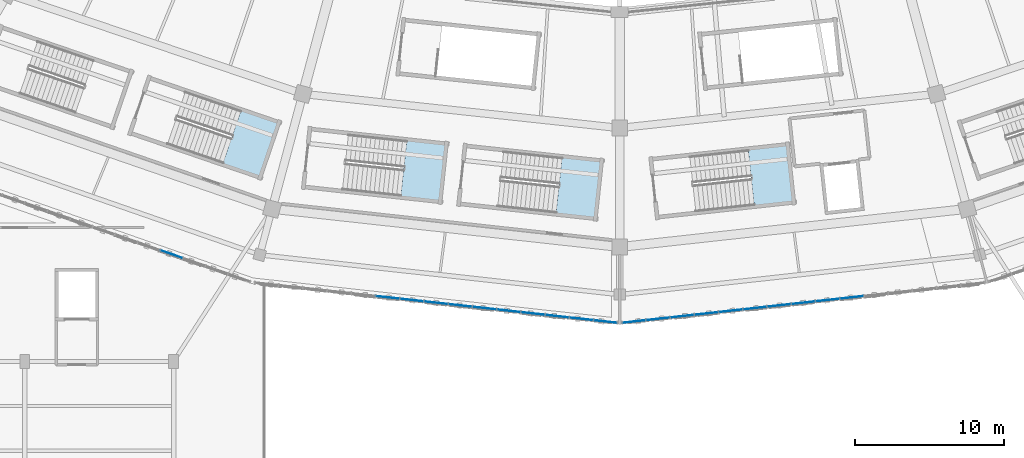
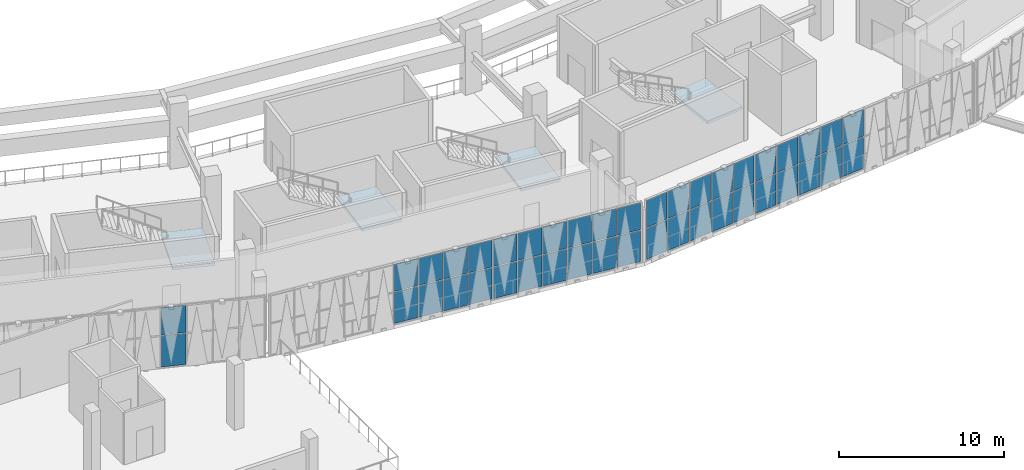
# One storey, part 78 of 179: 42 plates, 4 slabs, 7 elements without a shape of their own.
"""IFC4 building model written with IfcOpenShell, lengths in metres."""

import ifcopenshell
import ifcopenshell.guid

model = None  # the IFC model being written
_history = None  # IfcOwnerHistory: only IFC2X3 demands one
_inside = {}  # id of a spatial element -> (the spatial element, [elements in it])
_under = {}  # id of a project, library or spatial element -> (it, [spatial elements below it])
_declared = {}  # id of a project -> (the project, [libraries it declares])
_typed = {}  # id of a type object -> (the type object, [elements of that type])
_made_of = {}  # id of a material, layer set ... -> (it, [elements and type objects made of it])


def new_model(schema):
    """Start an empty IFC model of exactly this schema.

    Asked for "IFC4X3", IfcOpenShell would pick the latest addendum, in which some entities
    have other attributes; the version numbers below select the first issue.
    IFC2X3 requires an IfcOwnerHistory on every rooted entity: one is made here for all.
    """
    global model, _history
    if schema == "IFC4X3":
        model = ifcopenshell.file(schema_version=(4, 3, 0, 0))
    else:
        model = ifcopenshell.file(schema=schema)
    _inside.clear()
    _under.clear()
    _declared.clear()
    _typed.clear()
    _made_of.clear()
    _history = None
    if model.schema == "IFC2X3":
        org = make("IfcOrganization", Name="unknown")
        user = make(
            "IfcPersonAndOrganization",
            ThePerson=make("IfcPerson", FamilyName="unknown"),
            TheOrganization=org,
        )
        app = make(
            "IfcApplication",
            ApplicationDeveloper=org,
            Version="unknown",
            ApplicationFullName="unknown",
            ApplicationIdentifier="unknown",
        )
        _history = make(
            "IfcOwnerHistory",
            OwningUser=user,
            OwningApplication=app,
            ChangeAction="ADDED",
            CreationDate=0,
        )
    return model


def make(cls, **values):
    """One entity of the class cls with the attributes given. An attribute that is None is left unset."""
    return model.create_entity(
        cls, **{name: value for name, value in values.items() if value is not None}
    )


def rooted(cls, **values):
    """An entity with a GlobalId (a new one), such as an element, a storey or a relation."""
    return make(cls, GlobalId=ifcopenshell.guid.new(), OwnerHistory=_history, **values)


def si_unit(unit_type, name, prefix=None):
    """IfcSIUnit, for example si_unit("LENGTHUNIT", "METRE", prefix="MILLI")."""
    return make("IfcSIUnit", UnitType=unit_type, Prefix=prefix, Name=name)


def assignment(units):
    """IfcUnitAssignment: the units of a project."""
    return None if units is None else make("IfcUnitAssignment", Units=units)


def point(xyz):
    """IfcCartesianPoint."""
    return None if xyz is None else make("IfcCartesianPoint", Coordinates=xyz)


def direction(xyz):
    """IfcDirection."""
    return None if xyz is None else make("IfcDirection", DirectionRatios=xyz)


def frame(location, z_axis=None, x_axis=None):
    """IfcAxis2Placement3D, a coordinate frame: its origin and axes. An axis left out is left unset."""
    return make(
        "IfcAxis2Placement3D",
        Location=point(location),
        Axis=direction(z_axis),
        RefDirection=direction(x_axis),
    )


def frame_2d(location, x_axis=None):
    """IfcAxis2Placement2D, a coordinate frame in the plane: its origin and x axis."""
    return make(
        "IfcAxis2Placement2D", Location=point(location), RefDirection=direction(x_axis)
    )


def origin():
    """The frame at (0, 0, 0) with its axes left unset."""
    return frame((0.0, 0.0, 0.0))


def origin_2d():
    """The frame at (0, 0) in the plane with its x axis left unset."""
    return frame_2d((0.0, 0.0))


def place(relative_to, where):
    """IfcLocalPlacement: puts the frame where relative to a parent placement (None: the world)."""
    return make(
        "IfcLocalPlacement", PlacementRelTo=relative_to, RelativePlacement=where
    )


def context(
    kind, dimensions, precision=None, world=None, true_north=None, identifier=None
):
    """IfcGeometricRepresentationContext, for example the 3D "Model" context."""
    return make(
        "IfcGeometricRepresentationContext",
        ContextIdentifier=identifier,
        ContextType=kind,
        CoordinateSpaceDimension=dimensions,
        Precision=precision,
        WorldCoordinateSystem=world,
        TrueNorth=true_north,
    )


def subcontext(parent, identifier, kind, view, scale=None):
    """IfcGeometricRepresentationSubContext, for example "Body" below "Model"."""
    return make(
        "IfcGeometricRepresentationSubContext",
        ContextIdentifier=identifier,
        ContextType=kind,
        ParentContext=parent,
        TargetScale=scale,
        TargetView=view,
    )


def project(units=None, contexts=None):
    """IfcProject with its units and contexts."""
    return rooted(
        "IfcProject",
        Name="project",
        RepresentationContexts=contexts,
        UnitsInContext=assignment(units),
    )


def spatial(cls, under=None, at=None, **own):
    """A site, building, storey or space (cls), placed at a placement, below another one or the project."""
    s = rooted(cls, ObjectPlacement=at, **own)
    if under is not None:
        _under.setdefault(under.id(), (under, []))[1].append(s)
    return s


def polyline(points):
    """IfcPolyline through the points."""
    return make("IfcPolyline", Points=[point(p) for p in points])


def profile(cls, at=None, kind="AREA", **sizes):
    """A parametric profile (cls). Its sizes go by their IFC names, for example OverallWidth=200.0."""
    return make(cls, ProfileType=kind, Position=at, **sizes)


def rectangle(**sizes):
    """IfcRectangleProfileDef."""
    return profile("IfcRectangleProfileDef", **sizes)


def outline(outer, holes=None, kind="AREA"):
    """IfcArbitraryClosedProfileDef: a profile drawn as a closed curve; with holes, ...WithVoids."""
    if holes is None:
        return make("IfcArbitraryClosedProfileDef", ProfileType=kind, OuterCurve=outer)
    return make(
        "IfcArbitraryProfileDefWithVoids",
        ProfileType=kind,
        OuterCurve=outer,
        InnerCurves=holes,
    )


def extrude(swept, where, along, depth):
    """IfcExtrudedAreaSolid: the profile swept, set in the frame where, extruded along a direction by depth."""
    return make(
        "IfcExtrudedAreaSolid",
        SweptArea=swept,
        Position=where,
        ExtrudedDirection=direction(along),
        Depth=depth,
    )


def shape(context_of_items, identifier, shape_type, items):
    """IfcShapeRepresentation: the items that make up one representation, for example the "Body"."""
    return make(
        "IfcShapeRepresentation",
        ContextOfItems=context_of_items,
        RepresentationIdentifier=identifier,
        RepresentationType=shape_type,
        Items=items,
    )


def material(Name=None, Category=None):
    """IfcMaterial."""
    return make("IfcMaterial", Name=Name, Category=Category)


def layer(
    of_material, thickness, ventilated=None, Name=None, Category=None, Priority=None
):
    """IfcMaterialLayer: one layer of a wall or slab, of a material (None: an air gap)."""
    return make(
        "IfcMaterialLayer",
        Material=of_material,
        LayerThickness=thickness,
        IsVentilated=ventilated,
        Name=Name,
        Category=Category,
        Priority=Priority,
    )


def layer_set(layers, Name=None):
    """IfcMaterialLayerSet."""
    return make("IfcMaterialLayerSet", MaterialLayers=layers, LayerSetName=Name)


def made_of(thing, what):
    """Note that an element or type object is made of a material, layer set ...; save() writes the relation."""
    if what is not None:
        _made_of.setdefault(what.id(), (what, []))[1].append(thing)
    return thing


def type_object(cls, material=None, **own):
    """A type object (cls), such as IfcWallType, which elements share."""
    return made_of(rooted(cls, **own), material)


def element(
    cls,
    number,
    at=None,
    inside=None,
    cuts=None,
    type_object=None,
    material=None,
    context=None,
    identifier="Body",
    shape_type=None,
    held_by="IfcProductDefinitionShape",
    body=None,
    shapes=None,
    **own,
):
    """One element of the class cls, such as IfcWall. Its Tag is "e" and its number.

    at: its placement. inside: the storey or other place that contains it. cuts: it is an
    opening in that element (IfcRelVoidsElement). A single representation is given by context,
    identifier, shape_type and body (its items); several are given by shapes. held_by: the class
    of the entity that holds the representations. save() writes the other relations.
    """
    e = rooted(cls, Tag="e%d" % number, ObjectPlacement=at, **own)
    if body is not None:
        shapes = [shape(context, identifier, shape_type, body)]
    if shapes is not None:
        e.Representation = make(held_by, Representations=shapes)
    if inside is not None:
        _inside.setdefault(inside.id(), (inside, []))[1].append(e)
    if cuts is not None:
        rooted(
            "IfcRelVoidsElement", RelatingBuildingElement=cuts, RelatedOpeningElement=e
        )
    if type_object is not None:
        _typed.setdefault(type_object.id(), (type_object, []))[1].append(e)
    return made_of(e, material)


def aggregate(whole, parts):
    """IfcRelAggregates: a whole, such as a stair, and the parts it consists of."""
    return rooted("IfcRelAggregates", RelatingObject=whole, RelatedObjects=parts)


def save(model, path):
    """Write the relations noted so far, then the file.

    IfcRelAggregates (storeys below a building ...), IfcRelContainedInSpatialStructure (elements
    in a storey), IfcRelDefinesByType, IfcRelAssociatesMaterial and IfcRelDeclares: one each for
    every whole, place, type object, material and project.
    """
    for whole, parts in _under.values():
        aggregate(whole, parts)
    for where, things in _inside.values():
        rooted(
            "IfcRelContainedInSpatialStructure",
            RelatedElements=things,
            RelatingStructure=where,
        )
    for kind, things in _typed.values():
        rooted("IfcRelDefinesByType", RelatedObjects=things, RelatingType=kind)
    for what, things in _made_of.values():
        rooted("IfcRelAssociatesMaterial", RelatedObjects=things, RelatingMaterial=what)
    for by, libraries in _declared.values():
        rooted("IfcRelDeclares", RelatingContext=by, RelatedDefinitions=libraries)
    model.write(path)


model = new_model("IFC4")

# Units and contexts
model_context = context("Model", 3, precision=1e-05, world=origin(), true_north=direction((0.0, 1.0)))
body_context = subcontext(model_context, "Body", "Model", "MODEL_VIEW")
ifc_project = project(units=[si_unit("LENGTHUNIT", "METRE"), si_unit("AREAUNIT", "SQUARE_METRE"), si_unit("VOLUMEUNIT", "CUBIC_METRE"), si_unit("PLANEANGLEUNIT", "RADIAN"), si_unit("MASSUNIT", "GRAM", prefix="KILO")], contexts=[model_context])

# Site, building, storey
site_placement = place(None, origin())
site = spatial("IfcSite", under=ifc_project, at=site_placement, CompositionType="ELEMENT")
building_placement = place(site_placement, origin())
building = spatial("IfcBuilding", under=site, at=building_placement, Name="Zevraka Park Crest Stadium", CompositionType="ELEMENT")
storey_placement = place(building_placement, frame((0.0, 0.0, 10.199951171875)))
storey = spatial("IfcBuildingStorey", under=building, at=storey_placement, Name="L02", CompositionType="ELEMENT", Elevation=10.199951171875)

# Curtain wall, plates
ifc_material_1 = material(Name="Anodised architectural aluminium and laminated safety glass", Category="aluminium")
curtain_wall_type_1 = type_object("IfcCurtainWallType", Name="CW06", PredefinedType="NOTDEFINED", material=ifc_material_1)
curtain_wall_1_placement = place(storey_placement, origin())
curtain_wall_1 = element("IfcCurtainWall", 1, at=curtain_wall_1_placement, inside=storey, type_object=curtain_wall_type_1, Name="Unitised Ring Curtain Wall CW06 L02-17", PredefinedType="NOTDEFINED")
ifc_material_2 = material(Name="Solar-control laminated double glazing", Category="glass")
ifc_layer_1 = layer(ifc_material_2, 0.028076171875)
ifc_layer_set_1 = layer_set([ifc_layer_1], Name="Solar-control laminated double glazing")
plate_type_1 = type_object("IfcPlateType", Name="CP06", PredefinedType="CURTAIN_PANEL", material=ifc_layer_set_1)
plate_1_placement = place(storey_placement, frame((96.391845703125, 13.3125, 0.070068359375), z_axis=(0.0, 0.0, 1.0), x_axis=(0.993899099743, -0.110293152687, 0.0)))
plate_1 = element("IfcPlate", 2, at=plate_1_placement, type_object=plate_type_1, Name="CW06 panel 6.1", PredefinedType="CURTAIN_PANEL", context=body_context, shape_type="SweptSolid", body=[
    extrude(rectangle(XDim=1.5693359375, YDim=0.028076171875, at=origin_2d()), origin(), (0.0, 0.0, 1.0), 2.294921875),
])
plate_2_placement = place(storey_placement, frame((96.391845703125, 13.3125, 2.43505859375), z_axis=(0.0, 0.0, 1.0), x_axis=(0.993899099743, -0.110293152687, 0.0)))
plate_2 = element("IfcPlate", 3, at=plate_2_placement, type_object=plate_type_1, Name="CW06 panel 6.2", PredefinedType="CURTAIN_PANEL", context=body_context, shape_type="SweptSolid", body=[
    extrude(rectangle(XDim=1.5693359375, YDim=0.028076171875, at=origin_2d()), origin(), (0.0, 0.0, 1.0), 1.9951171875),
])
plate_3_placement = place(storey_placement, frame((98.021240234375, 13.1318359375, 0.070068359375), z_axis=(0.0, 0.0, 1.0), x_axis=(0.993899099743, -0.110293152687, 0.0)))
plate_3 = element("IfcPlate", 4, at=plate_3_placement, type_object=plate_type_1, Name="CW06 panel 7.1", PredefinedType="CURTAIN_PANEL", context=body_context, shape_type="SweptSolid", body=[
    extrude(rectangle(XDim=1.5693359375, YDim=0.028076171875, at=origin_2d()), origin(), (0.0, 0.0, 1.0), 2.294921875),
])
plate_4_placement = place(storey_placement, frame((98.021240234375, 13.1318359375, 2.43505859375), z_axis=(0.0, 0.0, 1.0), x_axis=(0.993899099743, -0.110293152687, 0.0)))
plate_4 = element("IfcPlate", 5, at=plate_4_placement, type_object=plate_type_1, Name="CW06 panel 7.2", PredefinedType="CURTAIN_PANEL", context=body_context, shape_type="SweptSolid", body=[
    extrude(rectangle(XDim=1.5693359375, YDim=0.028076171875, at=origin_2d()), origin(), (0.0, 0.0, 1.0), 1.9951171875),
])
plate_5_placement = place(storey_placement, frame((99.650390625, 12.950927734375, 0.070068359375), z_axis=(0.0, 0.0, 1.0), x_axis=(0.993899099743, -0.110293152687, 0.0)))
plate_5 = element("IfcPlate", 6, at=plate_5_placement, type_object=plate_type_1, Name="CW06 panel 8.1", PredefinedType="CURTAIN_PANEL", context=body_context, shape_type="SweptSolid", body=[
    extrude(rectangle(XDim=1.5693359375, YDim=0.028076171875, at=origin_2d()), origin(), (0.0, 0.0, 1.0), 2.294921875),
])
plate_6_placement = place(storey_placement, frame((99.650390625, 12.950927734375, 2.43505859375), z_axis=(0.0, 0.0, 1.0), x_axis=(0.993899099743, -0.110293152687, 0.0)))
plate_6 = element("IfcPlate", 7, at=plate_6_placement, type_object=plate_type_1, Name="CW06 panel 8.2", PredefinedType="CURTAIN_PANEL", context=body_context, shape_type="SweptSolid", body=[
    extrude(rectangle(XDim=1.5693359375, YDim=0.028076171875, at=origin_2d()), origin(), (0.0, 0.0, 1.0), 1.9951171875),
])
plate_7_placement = place(storey_placement, frame((101.27978515625, 12.770263671875, 0.070068359375), z_axis=(0.0, 0.0, 1.0), x_axis=(0.993899099743, -0.110293152687, 0.0)))
plate_7 = element("IfcPlate", 8, at=plate_7_placement, type_object=plate_type_1, Name="CW06 panel 9.1", PredefinedType="CURTAIN_PANEL", context=body_context, shape_type="SweptSolid", body=[
    extrude(rectangle(XDim=1.5693359375, YDim=0.028076171875, at=origin_2d()), origin(), (0.0, 0.0, 1.0), 2.294921875),
])
plate_8_placement = place(storey_placement, frame((101.27978515625, 12.770263671875, 2.43505859375), z_axis=(0.0, 0.0, 1.0), x_axis=(0.993899099743, -0.110293152687, 0.0)))
plate_8 = element("IfcPlate", 9, at=plate_8_placement, type_object=plate_type_1, Name="CW06 panel 9.2", PredefinedType="CURTAIN_PANEL", context=body_context, shape_type="SweptSolid", body=[
    extrude(rectangle(XDim=1.5693359375, YDim=0.028076171875, at=origin_2d()), origin(), (0.0, 0.0, 1.0), 1.9951171875),
])
plate_9_placement = place(storey_placement, frame((102.908935546875, 12.58935546875, 0.070068359375), z_axis=(0.0, 0.0, 1.0), x_axis=(0.993899099743, -0.110293152687, 0.0)))
plate_9 = element("IfcPlate", 10, at=plate_9_placement, type_object=plate_type_1, Name="CW06 panel 10.1", PredefinedType="CURTAIN_PANEL", context=body_context, shape_type="SweptSolid", body=[
    extrude(rectangle(XDim=1.5693359375, YDim=0.028076171875, at=origin_2d()), origin(), (0.0, 0.0, 1.0), 2.294921875),
])
plate_10_placement = place(storey_placement, frame((102.908935546875, 12.58935546875, 2.43505859375), z_axis=(0.0, 0.0, 1.0), x_axis=(0.993899099743, -0.110293152687, 0.0)))
plate_10 = element("IfcPlate", 11, at=plate_10_placement, type_object=plate_type_1, Name="CW06 panel 10.2", PredefinedType="CURTAIN_PANEL", context=body_context, shape_type="SweptSolid", body=[
    extrude(rectangle(XDim=1.5693359375, YDim=0.028076171875, at=origin_2d()), origin(), (0.0, 0.0, 1.0), 1.9951171875),
])
plate_11_placement = place(storey_placement, frame((104.538330078125, 12.40869140625, 0.070068359375), z_axis=(0.0, 0.0, 1.0), x_axis=(0.993899099743, -0.110293152687, 0.0)))
plate_11 = element("IfcPlate", 12, at=plate_11_placement, type_object=plate_type_1, Name="CW06 panel 11.1", PredefinedType="CURTAIN_PANEL", context=body_context, shape_type="SweptSolid", body=[
    extrude(rectangle(XDim=1.5693359375, YDim=0.028076171875, at=origin_2d()), origin(), (0.0, 0.0, 1.0), 2.294921875),
])
plate_12_placement = place(storey_placement, frame((104.538330078125, 12.40869140625, 2.43505859375), z_axis=(0.0, 0.0, 1.0), x_axis=(0.993899099743, -0.110293152687, 0.0)))
plate_12 = element("IfcPlate", 13, at=plate_12_placement, type_object=plate_type_1, Name="CW06 panel 11.2", PredefinedType="CURTAIN_PANEL", context=body_context, shape_type="SweptSolid", body=[
    extrude(rectangle(XDim=1.5693359375, YDim=0.028076171875, at=origin_2d()), origin(), (0.0, 0.0, 1.0), 1.9951171875),
])
plate_13_placement = place(storey_placement, frame((106.16748046875, 12.227783203125, 0.070068359375), z_axis=(0.0, 0.0, 1.0), x_axis=(0.993899099743, -0.110293152687, 0.0)))
plate_13 = element("IfcPlate", 14, at=plate_13_placement, type_object=plate_type_1, Name="CW06 panel 12.1", PredefinedType="CURTAIN_PANEL", context=body_context, shape_type="SweptSolid", body=[
    extrude(rectangle(XDim=1.5693359375, YDim=0.028076171875, at=origin_2d()), origin(), (0.0, 0.0, 1.0), 2.294921875),
])
plate_14_placement = place(storey_placement, frame((106.16748046875, 12.227783203125, 2.43505859375), z_axis=(0.0, 0.0, 1.0), x_axis=(0.993899099743, -0.110293152687, 0.0)))
plate_14 = element("IfcPlate", 15, at=plate_14_placement, type_object=plate_type_1, Name="CW06 panel 12.2", PredefinedType="CURTAIN_PANEL", context=body_context, shape_type="SweptSolid", body=[
    extrude(rectangle(XDim=1.5693359375, YDim=0.028076171875, at=origin_2d()), origin(), (0.0, 0.0, 1.0), 1.9951171875),
])
plate_15_placement = place(storey_placement, frame((107.796875, 12.047119140625, 0.070068359375), z_axis=(0.0, 0.0, 1.0), x_axis=(0.993899099743, -0.110293152687, 0.0)))
plate_15 = element("IfcPlate", 16, at=plate_15_placement, type_object=plate_type_1, Name="CW06 panel 13.1", PredefinedType="CURTAIN_PANEL", context=body_context, shape_type="SweptSolid", body=[
    extrude(rectangle(XDim=1.5693359375, YDim=0.028076171875, at=origin_2d()), origin(), (0.0, 0.0, 1.0), 2.294921875),
])
plate_16_placement = place(storey_placement, frame((107.796875, 12.047119140625, 2.43505859375), z_axis=(0.0, 0.0, 1.0), x_axis=(0.993899099743, -0.110293152687, 0.0)))
plate_16 = element("IfcPlate", 17, at=plate_16_placement, type_object=plate_type_1, Name="CW06 panel 13.2", PredefinedType="CURTAIN_PANEL", context=body_context, shape_type="SweptSolid", body=[
    extrude(rectangle(XDim=1.5693359375, YDim=0.028076171875, at=origin_2d()), origin(), (0.0, 0.0, 1.0), 1.9951171875),
])
plate_17_placement = place(storey_placement, frame((109.426025390625, 11.8662109375, 0.070068359375), z_axis=(0.0, 0.0, 1.0), x_axis=(0.993899099743, -0.110293152687, 0.0)))
plate_17 = element("IfcPlate", 18, at=plate_17_placement, type_object=plate_type_1, Name="CW06 panel 14.1", PredefinedType="CURTAIN_PANEL", context=body_context, shape_type="SweptSolid", body=[
    extrude(rectangle(XDim=1.5693359375, YDim=0.028076171875, at=origin_2d()), origin(), (0.0, 0.0, 1.0), 2.294921875),
])
plate_18_placement = place(storey_placement, frame((109.426025390625, 11.8662109375, 2.43505859375), z_axis=(0.0, 0.0, 1.0), x_axis=(0.993899099743, -0.110293152687, 0.0)))
plate_18 = element("IfcPlate", 19, at=plate_18_placement, type_object=plate_type_1, Name="CW06 panel 14.2", PredefinedType="CURTAIN_PANEL", context=body_context, shape_type="SweptSolid", body=[
    extrude(rectangle(XDim=1.5693359375, YDim=0.028076171875, at=origin_2d()), origin(), (0.0, 0.0, 1.0), 1.9951171875),
])
plate_19_placement = place(storey_placement, frame((111.0380859375, 11.687255859375, 0.070068359375), z_axis=(0.0, 0.0, 1.0), x_axis=(0.993899099743, -0.110293152687, 0.0)))
plate_19 = element("IfcPlate", 20, at=plate_19_placement, type_object=plate_type_1, Name="CW06 panel 15.1", PredefinedType="CURTAIN_PANEL", context=body_context, shape_type="SweptSolid", body=[
    extrude(rectangle(XDim=1.5341796875, YDim=0.028076171875, at=origin_2d()), origin(), (0.0, 0.0, 1.0), 2.294921875),
])
plate_20_placement = place(storey_placement, frame((111.0380859375, 11.687255859375, 2.43505859375), z_axis=(0.0, 0.0, 1.0), x_axis=(0.993899099743, -0.110293152687, 0.0)))
plate_20 = element("IfcPlate", 21, at=plate_20_placement, type_object=plate_type_1, Name="CW06 panel 15.2", PredefinedType="CURTAIN_PANEL", context=body_context, shape_type="SweptSolid", body=[
    extrude(rectangle(XDim=1.5341796875, YDim=0.028076171875, at=origin_2d()), origin(), (0.0, 0.0, 1.0), 1.9951171875),
])
aggregate(curtain_wall_1, [plate_1, plate_2, plate_3, plate_4, plate_5, plate_6, plate_7, plate_8, plate_9, plate_10, plate_11, plate_12, plate_13, plate_14, plate_15, plate_16, plate_17, plate_18, plate_19, plate_20])

curtain_wall_2_placement = place(storey_placement, origin())
curtain_wall_2 = element("IfcCurtainWall", 22, at=curtain_wall_2_placement, inside=storey, type_object=curtain_wall_type_1, Name="Unitised Ring Curtain Wall CW06 L02-18", PredefinedType="NOTDEFINED")
plate_21_placement = place(storey_placement, frame((112.9619140625, 11.687255859375, 0.070068359375), z_axis=(0.0, 0.0, 1.0), x_axis=(0.993899099743, 0.110293152687, 0.0)))
plate_21 = element("IfcPlate", 23, at=plate_21_placement, type_object=plate_type_1, Name="CW06 panel 1.1", PredefinedType="CURTAIN_PANEL", context=body_context, shape_type="SweptSolid", body=[
    extrude(rectangle(XDim=1.5341796875, YDim=0.028076171875, at=origin_2d()), origin(), (0.0, 0.0, 1.0), 2.294921875),
])
plate_22_placement = place(storey_placement, frame((112.9619140625, 11.687255859375, 2.43505859375), z_axis=(0.0, 0.0, 1.0), x_axis=(0.993899099743, 0.110293152687, 0.0)))
plate_22 = element("IfcPlate", 24, at=plate_22_placement, type_object=plate_type_1, Name="CW06 panel 1.2", PredefinedType="CURTAIN_PANEL", context=body_context, shape_type="SweptSolid", body=[
    extrude(rectangle(XDim=1.5341796875, YDim=0.028076171875, at=origin_2d()), origin(), (0.0, 0.0, 1.0), 1.9951171875),
])
plate_23_placement = place(storey_placement, frame((114.573974609375, 11.8662109375, 0.070068359375), z_axis=(0.0, 0.0, 1.0), x_axis=(0.993899099743, 0.110293152687, 0.0)))
plate_23 = element("IfcPlate", 25, at=plate_23_placement, type_object=plate_type_1, Name="CW06 panel 2.1", PredefinedType="CURTAIN_PANEL", context=body_context, shape_type="SweptSolid", body=[
    extrude(rectangle(XDim=1.5693359375, YDim=0.028076171875, at=origin_2d()), origin(), (0.0, 0.0, 1.0), 2.294921875),
])
plate_24_placement = place(storey_placement, frame((114.573974609375, 11.8662109375, 2.43505859375), z_axis=(0.0, 0.0, 1.0), x_axis=(0.993899099743, 0.110293152687, 0.0)))
plate_24 = element("IfcPlate", 26, at=plate_24_placement, type_object=plate_type_1, Name="CW06 panel 2.2", PredefinedType="CURTAIN_PANEL", context=body_context, shape_type="SweptSolid", body=[
    extrude(rectangle(XDim=1.5693359375, YDim=0.028076171875, at=origin_2d()), origin(), (0.0, 0.0, 1.0), 1.9951171875),
])
plate_25_placement = place(storey_placement, frame((116.203125, 12.047119140625, 0.070068359375), z_axis=(0.0, 0.0, 1.0), x_axis=(0.993899099743, 0.110293152687, 0.0)))
plate_25 = element("IfcPlate", 27, at=plate_25_placement, type_object=plate_type_1, Name="CW06 panel 3.1", PredefinedType="CURTAIN_PANEL", context=body_context, shape_type="SweptSolid", body=[
    extrude(rectangle(XDim=1.5693359375, YDim=0.028076171875, at=origin_2d()), origin(), (0.0, 0.0, 1.0), 2.294921875),
])
plate_26_placement = place(storey_placement, frame((116.203125, 12.047119140625, 2.43505859375), z_axis=(0.0, 0.0, 1.0), x_axis=(0.993899099743, 0.110293152687, 0.0)))
plate_26 = element("IfcPlate", 28, at=plate_26_placement, type_object=plate_type_1, Name="CW06 panel 3.2", PredefinedType="CURTAIN_PANEL", context=body_context, shape_type="SweptSolid", body=[
    extrude(rectangle(XDim=1.5693359375, YDim=0.028076171875, at=origin_2d()), origin(), (0.0, 0.0, 1.0), 1.9951171875),
])
plate_27_placement = place(storey_placement, frame((117.83251953125, 12.227783203125, 0.070068359375), z_axis=(0.0, 0.0, 1.0), x_axis=(0.993899099743, 0.110293152687, 0.0)))
plate_27 = element("IfcPlate", 29, at=plate_27_placement, type_object=plate_type_1, Name="CW06 panel 4.1", PredefinedType="CURTAIN_PANEL", context=body_context, shape_type="SweptSolid", body=[
    extrude(rectangle(XDim=1.5693359375, YDim=0.028076171875, at=origin_2d()), origin(), (0.0, 0.0, 1.0), 2.294921875),
])
plate_28_placement = place(storey_placement, frame((117.83251953125, 12.227783203125, 2.43505859375), z_axis=(0.0, 0.0, 1.0), x_axis=(0.993899099743, 0.110293152687, 0.0)))
plate_28 = element("IfcPlate", 30, at=plate_28_placement, type_object=plate_type_1, Name="CW06 panel 4.2", PredefinedType="CURTAIN_PANEL", context=body_context, shape_type="SweptSolid", body=[
    extrude(rectangle(XDim=1.5693359375, YDim=0.028076171875, at=origin_2d()), origin(), (0.0, 0.0, 1.0), 1.9951171875),
])
plate_29_placement = place(storey_placement, frame((119.461669921875, 12.40869140625, 0.070068359375), z_axis=(0.0, 0.0, 1.0), x_axis=(0.993899099743, 0.110293152687, 0.0)))
plate_29 = element("IfcPlate", 31, at=plate_29_placement, type_object=plate_type_1, Name="CW06 panel 5.1", PredefinedType="CURTAIN_PANEL", context=body_context, shape_type="SweptSolid", body=[
    extrude(rectangle(XDim=1.5693359375, YDim=0.028076171875, at=origin_2d()), origin(), (0.0, 0.0, 1.0), 2.294921875),
])
plate_30_placement = place(storey_placement, frame((119.461669921875, 12.40869140625, 2.43505859375), z_axis=(0.0, 0.0, 1.0), x_axis=(0.993899099743, 0.110293152687, 0.0)))
plate_30 = element("IfcPlate", 32, at=plate_30_placement, type_object=plate_type_1, Name="CW06 panel 5.2", PredefinedType="CURTAIN_PANEL", context=body_context, shape_type="SweptSolid", body=[
    extrude(rectangle(XDim=1.5693359375, YDim=0.028076171875, at=origin_2d()), origin(), (0.0, 0.0, 1.0), 1.9951171875),
])
plate_31_placement = place(storey_placement, frame((121.091064453125, 12.58935546875, 0.070068359375), z_axis=(0.0, 0.0, 1.0), x_axis=(0.993899099743, 0.110293152687, 0.0)))
plate_31 = element("IfcPlate", 33, at=plate_31_placement, type_object=plate_type_1, Name="CW06 panel 6.1", PredefinedType="CURTAIN_PANEL", context=body_context, shape_type="SweptSolid", body=[
    extrude(rectangle(XDim=1.5693359375, YDim=0.028076171875, at=origin_2d()), origin(), (0.0, 0.0, 1.0), 2.294921875),
])
plate_32_placement = place(storey_placement, frame((121.091064453125, 12.58935546875, 2.43505859375), z_axis=(0.0, 0.0, 1.0), x_axis=(0.993899099743, 0.110293152687, 0.0)))
plate_32 = element("IfcPlate", 34, at=plate_32_placement, type_object=plate_type_1, Name="CW06 panel 6.2", PredefinedType="CURTAIN_PANEL", context=body_context, shape_type="SweptSolid", body=[
    extrude(rectangle(XDim=1.5693359375, YDim=0.028076171875, at=origin_2d()), origin(), (0.0, 0.0, 1.0), 1.9951171875),
])
plate_33_placement = place(storey_placement, frame((122.72021484375, 12.770263671875, 0.070068359375), z_axis=(0.0, 0.0, 1.0), x_axis=(0.993899099743, 0.110293152687, 0.0)))
plate_33 = element("IfcPlate", 35, at=plate_33_placement, type_object=plate_type_1, Name="CW06 panel 7.1", PredefinedType="CURTAIN_PANEL", context=body_context, shape_type="SweptSolid", body=[
    extrude(rectangle(XDim=1.5693359375, YDim=0.028076171875, at=origin_2d()), origin(), (0.0, 0.0, 1.0), 2.294921875),
])
plate_34_placement = place(storey_placement, frame((122.72021484375, 12.770263671875, 2.43505859375), z_axis=(0.0, 0.0, 1.0), x_axis=(0.993899099743, 0.110293152687, 0.0)))
plate_34 = element("IfcPlate", 36, at=plate_34_placement, type_object=plate_type_1, Name="CW06 panel 7.2", PredefinedType="CURTAIN_PANEL", context=body_context, shape_type="SweptSolid", body=[
    extrude(rectangle(XDim=1.5693359375, YDim=0.028076171875, at=origin_2d()), origin(), (0.0, 0.0, 1.0), 1.9951171875),
])
plate_35_placement = place(storey_placement, frame((124.349609375, 12.950927734375, 0.070068359375), z_axis=(0.0, 0.0, 1.0), x_axis=(0.993899099743, 0.110293152687, 0.0)))
plate_35 = element("IfcPlate", 37, at=plate_35_placement, type_object=plate_type_1, Name="CW06 panel 8.1", PredefinedType="CURTAIN_PANEL", context=body_context, shape_type="SweptSolid", body=[
    extrude(rectangle(XDim=1.5693359375, YDim=0.028076171875, at=origin_2d()), origin(), (0.0, 0.0, 1.0), 2.294921875),
])
plate_36_placement = place(storey_placement, frame((124.349609375, 12.950927734375, 2.43505859375), z_axis=(0.0, 0.0, 1.0), x_axis=(0.993899099743, 0.110293152687, 0.0)))
plate_36 = element("IfcPlate", 38, at=plate_36_placement, type_object=plate_type_1, Name="CW06 panel 8.2", PredefinedType="CURTAIN_PANEL", context=body_context, shape_type="SweptSolid", body=[
    extrude(rectangle(XDim=1.5693359375, YDim=0.028076171875, at=origin_2d()), origin(), (0.0, 0.0, 1.0), 1.9951171875),
])
plate_37_placement = place(storey_placement, frame((125.978759765625, 13.1318359375, 0.070068359375), z_axis=(0.0, 0.0, 1.0), x_axis=(0.993899099743, 0.110293152687, 0.0)))
plate_37 = element("IfcPlate", 39, at=plate_37_placement, type_object=plate_type_1, Name="CW06 panel 9.1", PredefinedType="CURTAIN_PANEL", context=body_context, shape_type="SweptSolid", body=[
    extrude(rectangle(XDim=1.5693359375, YDim=0.028076171875, at=origin_2d()), origin(), (0.0, 0.0, 1.0), 2.294921875),
])
plate_38_placement = place(storey_placement, frame((125.978759765625, 13.1318359375, 2.43505859375), z_axis=(0.0, 0.0, 1.0), x_axis=(0.993899099743, 0.110293152687, 0.0)))
plate_38 = element("IfcPlate", 40, at=plate_38_placement, type_object=plate_type_1, Name="CW06 panel 9.2", PredefinedType="CURTAIN_PANEL", context=body_context, shape_type="SweptSolid", body=[
    extrude(rectangle(XDim=1.5693359375, YDim=0.028076171875, at=origin_2d()), origin(), (0.0, 0.0, 1.0), 1.9951171875),
])
plate_39_placement = place(storey_placement, frame((127.608154296875, 13.3125, 0.070068359375), z_axis=(0.0, 0.0, 1.0), x_axis=(0.993899099743, 0.110293152687, 0.0)))
plate_39 = element("IfcPlate", 41, at=plate_39_placement, type_object=plate_type_1, Name="CW06 panel 10.1", PredefinedType="CURTAIN_PANEL", context=body_context, shape_type="SweptSolid", body=[
    extrude(rectangle(XDim=1.5693359375, YDim=0.028076171875, at=origin_2d()), origin(), (0.0, 0.0, 1.0), 2.294921875),
])
plate_40_placement = place(storey_placement, frame((127.608154296875, 13.3125, 2.43505859375), z_axis=(0.0, 0.0, 1.0), x_axis=(0.993899099743, 0.110293152687, 0.0)))
plate_40 = element("IfcPlate", 42, at=plate_40_placement, type_object=plate_type_1, Name="CW06 panel 10.2", PredefinedType="CURTAIN_PANEL", context=body_context, shape_type="SweptSolid", body=[
    extrude(rectangle(XDim=1.5693359375, YDim=0.028076171875, at=origin_2d()), origin(), (0.0, 0.0, 1.0), 1.9951171875),
])
aggregate(curtain_wall_2, [plate_21, plate_22, plate_23, plate_24, plate_25, plate_26, plate_27, plate_28, plate_29, plate_30, plate_31, plate_32, plate_33, plate_34, plate_35, plate_36, plate_37, plate_38, plate_39, plate_40])

ifc_material_3 = material(Name="Anodised architectural aluminium and laminated safety glass", Category="aluminium")
curtain_wall_type_2 = type_object("IfcCurtainWallType", Name="CW07", PredefinedType="NOTDEFINED", material=ifc_material_3)
curtain_wall_3_placement = place(storey_placement, origin())
curtain_wall_3 = element("IfcCurtainWall", 43, at=curtain_wall_3_placement, inside=storey, type_object=curtain_wall_type_2, Name="Unitised Ring Curtain Wall CW07 L02-16", PredefinedType="NOTDEFINED")
ifc_material_4 = material(Name="Solar-control laminated double glazing", Category="glass")
ifc_layer_2 = layer(ifc_material_4, 0.028076171875)
ifc_layer_set_2 = layer_set([ifc_layer_2], Name="Solar-control laminated double glazing")
plate_type_2 = type_object("IfcPlateType", Name="CP07", PredefinedType="CURTAIN_PANEL", material=ifc_layer_set_2)
plate_41_placement = place(storey_placement, frame((81.864501953125, 16.2197265625, 0.06005859375), z_axis=(0.0, 0.0, 1.0), x_axis=(0.944114076789, -0.329618886002, 0.0)))
plate_41 = element("IfcPlate", 44, at=plate_41_placement, type_object=plate_type_2, Name="CW07 panel 12.1", PredefinedType="CURTAIN_PANEL", context=body_context, shape_type="SweptSolid", body=[
    extrude(rectangle(XDim=1.547607421875, YDim=0.028076171875, at=origin_2d()), origin(), (0.0, 0.0, 1.0), 2.31005859375),
])
plate_42_placement = place(storey_placement, frame((81.864501953125, 16.2197265625, 2.43017578125), z_axis=(0.0, 0.0, 1.0), x_axis=(0.944114076789, -0.329618886002, 0.0)))
plate_42 = element("IfcPlate", 45, at=plate_42_placement, type_object=plate_type_2, Name="CW07 panel 12.2", PredefinedType="CURTAIN_PANEL", context=body_context, shape_type="SweptSolid", body=[
    extrude(rectangle(XDim=1.547607421875, YDim=0.028076171875, at=origin_2d()), origin(), (0.0, 0.0, 1.0), 2.010009765625),
])
aggregate(curtain_wall_3, [plate_41, plate_42])

# Stair, slab
ifc_material_5 = material(Name="Concrete C35/45", Category="concrete")
stair_type = type_object("IfcStairType", Name="STA2", PredefinedType="HALF_TURN_STAIR", material=ifc_material_5)
stair_1_placement = place(storey_placement, origin())
stair_1 = element("IfcStair", 46, at=stair_1_placement, inside=storey, type_object=stair_type, Name="L02 Protected Concourse Exit Stair ST18", PredefinedType="HALF_TURN_STAIR")
ifc_material_6 = material(Name="Concrete C35/45", Category="concrete")
ifc_layer_3 = layer(ifc_material_6, 0.199951171875)
ifc_layer_set_3 = layer_set([ifc_layer_3], Name="Concrete C35/45")
slab_type = type_object("IfcSlabType", Name="LS01", PredefinedType="LANDING", material=ifc_layer_set_3)
slab_1_placement = place(storey_placement, frame((0.0, 0.0, 2.199951171875)))
slab_1 = element("IfcSlab", 47, at=slab_1_placement, type_object=slab_type, Name="ST18 landing 1", PredefinedType="LANDING", context=body_context, shape_type="SweptSolid", body=[
    extrude(outline(polyline([(97.274169921875, 20.112060546875), (99.868896484375, 19.82958984375), (100.275634765625, 23.567626953125), (97.68115234375, 23.85009765625), (97.274169921875, 20.112060546875)])), origin(), (0.0, 0.0, 1.0), 0.2001953125),
])
aggregate(stair_1, [slab_1])

stair_2_placement = place(storey_placement, origin())
stair_2 = element("IfcStair", 48, at=stair_2_placement, inside=storey, type_object=stair_type, Name="L02 Protected Concourse Exit Stair ST19", PredefinedType="HALF_TURN_STAIR")
slab_2_placement = place(storey_placement, frame((0.0, 0.0, 2.199951171875)))
slab_2 = element("IfcSlab", 49, at=slab_2_placement, type_object=slab_type, Name="ST19 landing 1", PredefinedType="LANDING", context=body_context, shape_type="SweptSolid", body=[
    extrude(outline(polyline([(121.0390625, 19.492919921875), (123.6337890625, 19.775390625), (123.22705078125, 23.51318359375), (120.63232421875, 23.230712890625), (121.0390625, 19.492919921875)])), origin(), (0.0, 0.0, 1.0), 0.2001953125),
])
aggregate(stair_2, [slab_2])

stair_3_placement = place(storey_placement, origin())
stair_3 = element("IfcStair", 50, at=stair_3_placement, inside=storey, type_object=stair_type, Name="L02 Protected Paired Concourse Exit Stair ST29", PredefinedType="HALF_TURN_STAIR")
slab_3_placement = place(storey_placement, frame((0.0, 0.0, 2.199951171875)))
slab_3 = element("IfcSlab", 51, at=slab_3_placement, type_object=slab_type, Name="ST29 landing 1", PredefinedType="LANDING", context=body_context, shape_type="SweptSolid", body=[
    extrude(outline(polyline([(85.312744140625, 22.316650390625), (87.781982421875, 21.470947265625), (89.0, 25.0283203125), (86.53076171875, 25.873779296875), (85.312744140625, 22.316650390625)])), origin(), (0.0, 0.0, 1.0), 0.2001953125),
])
aggregate(stair_3, [slab_3])

stair_4_placement = place(storey_placement, origin())
stair_4 = element("IfcStair", 52, at=stair_4_placement, inside=storey, type_object=stair_type, Name="L02 Protected Paired Concourse Exit Stair ST30", PredefinedType="HALF_TURN_STAIR")
slab_4_placement = place(storey_placement, frame((0.0, 0.0, 2.199951171875)))
slab_4 = element("IfcSlab", 53, at=slab_4_placement, type_object=slab_type, Name="ST30 landing 1", PredefinedType="LANDING", context=body_context, shape_type="SweptSolid", body=[
    extrude(outline(polyline([(107.712158203125, 18.97607421875), (110.306884765625, 18.693603515625), (110.713623046875, 22.431640625), (108.119140625, 22.714111328125), (107.712158203125, 18.97607421875)])), origin(), (0.0, 0.0, 1.0), 0.2001953125),
])
aggregate(stair_4, [slab_4])

save(model, "model.ifc")
